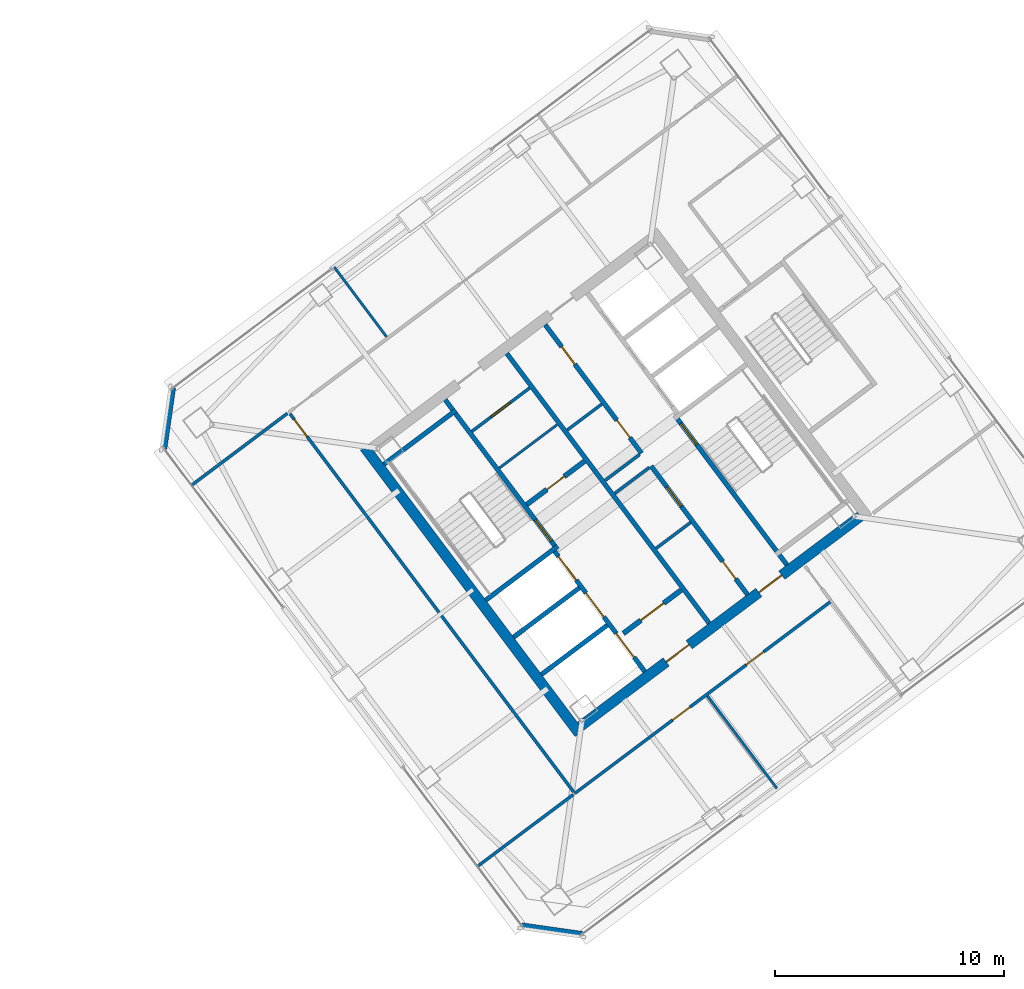
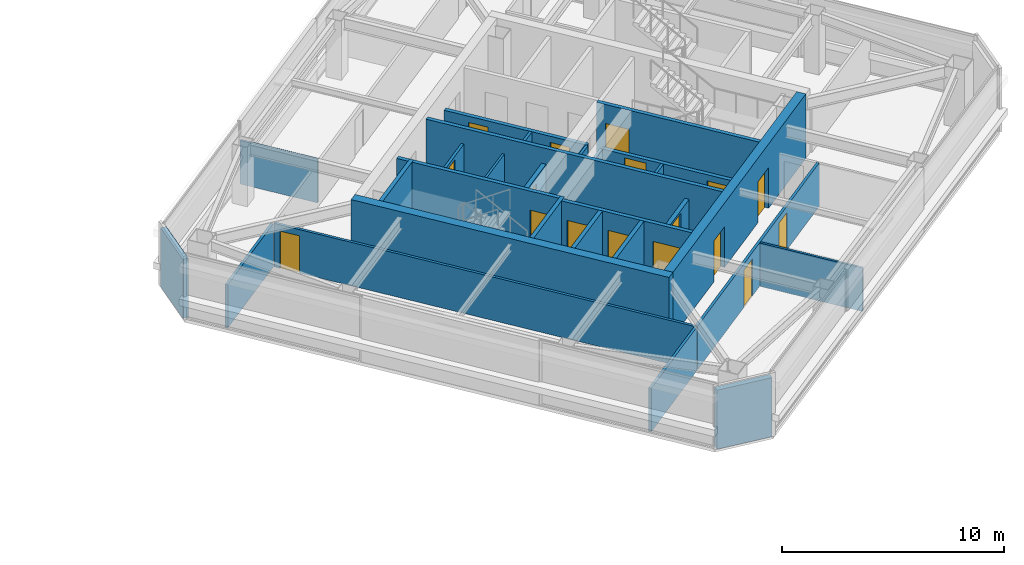
# One storey, part 31 of 39: 28 walls, 17 doors, 17 openings.
"""IFC4 building model written with IfcOpenShell, lengths in metres."""

from ifc_helpers import new_model, si_unit, direction, frame, frame_2d, origin, place, context, subcontext, project, spatial, rectangle, extrude, material, layer, layer_set, type_object, element, fill, save


model = new_model("IFC4")

# Units and contexts
model_context = context("Model", 3, precision=1e-05, world=origin(), true_north=direction((0.0, 1.0)))
body_context = subcontext(model_context, "Body", "Model", "MODEL_VIEW")
ifc_project = project(units=[si_unit("LENGTHUNIT", "METRE"), si_unit("AREAUNIT", "SQUARE_METRE"), si_unit("VOLUMEUNIT", "CUBIC_METRE"), si_unit("PLANEANGLEUNIT", "RADIAN"), si_unit("MASSUNIT", "GRAM", prefix="KILO")], contexts=[model_context])

# Site, building, storey
site_placement = place(None, origin())
site = spatial("IfcSite", under=ifc_project, at=site_placement, CompositionType="ELEMENT")
building_placement = place(site_placement, origin())
building = spatial("IfcBuilding", under=site, at=building_placement, Name="Tashvorn Skyway Center", CompositionType="ELEMENT")
storey_placement = place(building_placement, frame((0.0, 0.0, 243.25)))
storey = spatial("IfcBuildingStorey", under=building, at=storey_placement, Name="L66", CompositionType="ELEMENT", Elevation=243.25)

# Wall
ifc_material_1 = material(Name="Concrete C50/60", Category="concrete")
ifc_layer_1 = layer(ifc_material_1, 0.449951171875)
ifc_layer_set_1 = layer_set([ifc_layer_1], Name="Concrete C50/60")
wall_type_1 = type_object("IfcWallType", Name="WALL-CORE-450", PredefinedType="SHEAR", material=ifc_layer_set_1)
wall_1_placement = place(storey_placement, frame((112.39599609375, 21.047119140625, 0.0), z_axis=(0.0, 0.0, 1.0), x_axis=(-0.600005007985, 0.799996243986, 0.0)))
element("IfcWall", 1, at=wall_1_placement, inside=storey, type_object=wall_type_1, Name="Tower 2 L66 West Core Shear Wall", PredefinedType="SHEAR", context=body_context, shape_type="SweptSolid", body=[
    extrude(rectangle(XDim=15.60009765625, YDim=0.449951171875, at=frame_2d((7.800048828125, 0.0))), origin(), (0.0, 0.0, 1.0), 3.550048828125),
])

# Wall, openings, doors
wall_2_placement = place(storey_placement, frame((124.64892578125, 30.51806640625, 0.0), z_axis=(0.0, 0.0, 1.0), x_axis=(-0.8, -0.6, 0.0)))
wall_2 = element("IfcWall", 2, at=wall_2_placement, inside=storey, type_object=wall_type_1, Name="Tower 2 L66 South Core Shear Wall", PredefinedType="SHEAR", context=body_context, shape_type="SweptSolid", body=[
    extrude(rectangle(XDim=15.260009765625, YDim=0.449951171875, at=frame_2d((7.6298828125, 0.0))), origin(), (0.0, 0.0, 1.0), 3.550048828125),
])
opening_1_placement = place(wall_2_placement, frame((9.330078125, 0.0, 0.0)))
opening_1 = element("IfcOpeningElement", 3, at=opening_1_placement, cuts=wall_2, Name="Opening D-FFL-1250", PredefinedType="OPENING", context=body_context, shape_type="SweptSolid", body=[
    extrude(rectangle(XDim=1.25, YDim=2.25, at=frame_2d((0.625, 1.125))), frame((0.0, 0.23486328125, 0.0), z_axis=(0.0, -1.0, 0.0), x_axis=(1.0, 0.0, 0.0)), (0.0, 0.0, 1.0), 0.469970703125),
])
opening_2_placement = place(wall_2_placement, frame((4.280029296875, 0.0, 0.0)))
opening_2 = element("IfcOpeningElement", 4, at=opening_2_placement, cuts=wall_2, Name="Opening D-FFL-1250", PredefinedType="OPENING", context=body_context, shape_type="SweptSolid", body=[
    extrude(rectangle(XDim=1.25, YDim=2.25, at=frame_2d((0.625, 1.125))), frame((0.0, 0.23486328125, 0.0), z_axis=(0.0, -1.0, 0.0), x_axis=(1.0, 0.0, 0.0)), (0.0, 0.0, 1.0), 0.469970703125),
])
ifc_material_2 = material(Name="Hollow galvanized steel fire door assembly", Category="steel")
door_type_1 = type_object("IfcDoorType", Name="DOOR-FFL-1250", OperationType="NOTDEFINED", PredefinedType="DOOR", material=ifc_material_2)
door_1_placement = place(opening_1_placement, origin())
door_1 = element("IfcDoor", 5, at=door_1_placement, inside=storey, type_object=door_type_1, Name="Tower 2 L66 Core South Firefighting Exit Door", OperationType="SINGLE_SWING_LEFT", OverallHeight=2.25, OverallWidth=1.25, PredefinedType="DOOR", context=body_context, shape_type="SweptSolid", body=[
    extrude(rectangle(XDim=1.25, YDim=2.25, at=frame_2d((0.625, 1.125))), frame((0.0, 0.02490234375, 0.0), z_axis=(0.0, -1.0, 0.0), x_axis=(1.0, 0.0, 0.0)), (0.0, 0.0, 1.0), 0.050048828125),
])
fill(opening_1, door_1)
door_2_placement = place(opening_2_placement, origin())
door_2 = element("IfcDoor", 6, at=door_2_placement, inside=storey, type_object=door_type_1, Name="Tower 2 L66 Core South Lift Lobby Door", OperationType="SINGLE_SWING_RIGHT", OverallHeight=2.25, OverallWidth=1.25, PredefinedType="DOOR", context=body_context, shape_type="SweptSolid", body=[
    extrude(rectangle(XDim=1.25, YDim=2.25, at=frame_2d((0.625, 1.125))), frame((0.0, 0.02490234375, 0.0), z_axis=(0.0, -1.0, 0.0), x_axis=(1.0, 0.0, 0.0)), (0.0, 0.0, 1.0), 0.050048828125),
])
fill(opening_2, door_2)

# Walls
ifc_material_3 = material(Name="Precast concrete C40/50", Category="concrete")
ifc_layer_2 = layer(ifc_material_3, 0.280029296875)
ifc_layer_set_2 = layer_set([ifc_layer_2], Name="Precast concrete C40/50")
wall_type_2 = type_object("IfcWallType", Name="WALL-EXT-280", PredefinedType="SOLIDWALL", material=ifc_layer_set_2)
for number, where, z_axis, x_axis, name in (
    (7, (112.5400390625, 12.280029296875, 0.0), (0.0, 0.0, 1.0), (-0.989956760759, 0.141370477216, 0.0), "Tower 2 L66 SW Precast Chamfer Wall"),
    (8, (94.280029296875, 33.4599609375, 0.0), (0.0, 0.0, 1.0), (0.141370477216, 0.989956760759, 0.0), "Tower 2 L66 NW Precast Chamfer Wall"),
):
    element("IfcWall", number, at=place(storey_placement, frame(where, z_axis=z_axis, x_axis=x_axis)), inside=storey, type_object=wall_type_2, Name=name, PredefinedType="SOLIDWALL", context=body_context, shape_type="SweptSolid", body=[
        extrude(rectangle(XDim=2.687255859375, YDim=0.280029296875, at=frame_2d((1.34375, 0.0))), origin(), (0.0, 0.0, 1.0), 3.25),
    ])

# Wall, opening, door
ifc_material_4 = material(Name="Concrete C40/50", Category="concrete")
ifc_layer_3 = layer(ifc_material_4, 0.219970703125)
ifc_layer_set_3 = layer_set([ifc_layer_3], Name="Concrete C40/50")
wall_type_3 = type_object("IfcWallType", Name="WALL-FFL-220", PredefinedType="SOLIDWALL", material=ifc_layer_set_3)
wall_3_placement = place(storey_placement, frame((110.10400390625, 31.028076171875, 0.0), z_axis=(0.0, 0.0, 1.0), x_axis=(0.800018601094, 0.59997519774, 0.0)))
wall_3 = element("IfcWall", 9, at=wall_3_placement, inside=storey, type_object=wall_type_3, Name="Tower 2 L66 Firefighting Lobby North Wall", PredefinedType="SOLIDWALL", context=body_context, shape_type="SweptSolid", body=[
    extrude(rectangle(XDim=3.14990234375, YDim=0.219970703125, at=frame_2d((1.574951171875, 0.0))), origin(), (0.0, 0.0, 1.0), 2.39306640625),
])
opening_3_placement = place(wall_3_placement, frame((1.10009765625, 0.0, 0.0)))
opening_3 = element("IfcOpeningElement", 10, at=opening_3_placement, cuts=wall_3, Name="Opening D-RT-950", PredefinedType="OPENING", context=body_context, shape_type="SweptSolid", body=[
    extrude(rectangle(XDim=0.949951171875, YDim=2.050048828125, at=frame_2d((0.47509765625, 1.02490234375))), frame((0.0, 0.119873046875, 0.0), z_axis=(0.0, -1.0, 0.0), x_axis=(1.0, 0.0, 0.0)), (0.0, 0.0, 1.0), 0.239990234375),
])
door_type_2 = type_object("IfcDoorType", Name="DOOR-RATED-950", OperationType="NOTDEFINED", PredefinedType="DOOR", material=ifc_material_2)
door_3_placement = place(opening_3_placement, origin())
door_3 = element("IfcDoor", 11, at=door_3_placement, inside=storey, type_object=door_type_2, Name="Tower 2 L66 Core Linen Store Door", OperationType="SINGLE_SWING_LEFT", OverallHeight=2.050048828125, OverallWidth=0.949951171875, PredefinedType="DOOR", context=body_context, shape_type="SweptSolid", body=[
    extrude(rectangle(XDim=0.949951171875, YDim=2.050048828125, at=frame_2d((0.47509765625, 1.02490234375))), frame((0.0, 0.02490234375, 0.0), z_axis=(0.0, -1.0, 0.0), x_axis=(1.0, 0.0, 0.0)), (0.0, 0.0, 1.0), 0.050048828125),
])
fill(opening_3, door_3)

wall_4_placement = place(storey_placement, frame((114.31591796875, 25.412109375, 0.0), z_axis=(0.0, 0.0, 1.0), x_axis=(0.800018601094, 0.59997519774, 0.0)))
wall_4 = element("IfcWall", 12, at=wall_4_placement, inside=storey, type_object=wall_type_3, Name="Tower 2 L66 Firefighting Lobby South Wall", PredefinedType="SOLIDWALL", context=body_context, shape_type="SweptSolid", body=[
    extrude(rectangle(XDim=3.14990234375, YDim=0.219970703125, at=frame_2d((1.574951171875, 0.0))), origin(), (0.0, 0.0, 1.0), 2.39306640625),
])
opening_4_placement = place(wall_4_placement, frame((0.949951171875, 0.0, 0.0)))
opening_4 = element("IfcOpeningElement", 13, at=opening_4_placement, cuts=wall_4, Name="Opening D-FFL-1250", PredefinedType="OPENING", context=body_context, shape_type="SweptSolid", body=[
    extrude(rectangle(XDim=1.25, YDim=2.25, at=frame_2d((0.625, 1.125))), frame((0.0, 0.119873046875, 0.0), z_axis=(0.0, -1.0, 0.0), x_axis=(1.0, 0.0, 0.0)), (0.0, 0.0, 1.0), 0.239990234375),
])
door_4_placement = place(opening_4_placement, origin())
door_4 = element("IfcDoor", 14, at=door_4_placement, inside=storey, type_object=door_type_1, Name="Tower 2 L66 Firefighting Lobby Egress Door", OperationType="SINGLE_SWING_LEFT", OverallHeight=2.25, OverallWidth=1.25, PredefinedType="DOOR", context=body_context, shape_type="SweptSolid", body=[
    extrude(rectangle(XDim=1.25, YDim=2.25, at=frame_2d((0.625, 1.125))), frame((0.0, 0.02490234375, 0.0), z_axis=(0.0, -1.0, 0.0), x_axis=(1.0, 0.0, 0.0)), (0.0, 0.0, 1.0), 0.050048828125),
])
fill(opening_4, door_4)

# Walls
ifc_material_5 = material(Name="Gypsum board on cold-formed steel stud framing", Category="steel")
ifc_layer_4 = layer(ifc_material_5, 0.110107421875)
ifc_layer_set_4 = layer_set([ifc_layer_4], Name="Gypsum board on cold-formed steel stud framing")
wall_type_4 = type_object("IfcWallType", Name="WALL-PART-110", PredefinedType="PARTITIONING", material=ifc_layer_set_4)
wall_5_placement = place(storey_placement, frame((103.991943359375, 38.343994140625, 0.0), z_axis=(0.0, 0.0, 1.0), x_axis=(-0.6, 0.8, 0.0)))
element("IfcWall", 15, at=wall_5_placement, inside=storey, type_object=wall_type_4, Name="Tower 2 L66 North Suite Partition 1", PredefinedType="PARTITIONING", context=body_context, shape_type="SweptSolid", body=[
    extrude(rectangle(XDim=3.800048828125, YDim=0.110107421875, at=frame_2d((1.89990234375, 0.0))), origin(), (0.0, 0.0, 1.0), 2.39306640625),
])
wall_6_placement = place(storey_placement, frame((121.008056640625, 18.656005859375, 0.0), z_axis=(0.0, 0.0, 1.0), x_axis=(-0.600015531756, 0.799988350947, 0.0)))
element("IfcWall", 16, at=wall_6_placement, inside=storey, type_object=wall_type_4, Name="Tower 2 L66 South Suite Partition 1", PredefinedType="PARTITIONING", context=body_context, shape_type="SweptSolid", body=[
    extrude(rectangle(XDim=5.030029296875, YDim=0.110107421875, at=frame_2d((2.51513671875, 0.0))), origin(), (0.0, 0.0, 1.0), 2.39306640625),
])

# Wall, openings, doors
ifc_layer_5 = layer(ifc_material_5, 0.135009765625)
ifc_layer_set_5 = layer_set([ifc_layer_5], Name="Gypsum board on cold-formed steel stud framing")
wall_type_5 = type_object("IfcWallType", Name="WALL-PART-135", PredefinedType="PARTITIONING", material=ifc_layer_set_5)
wall_7_placement = place(storey_placement, frame((123.382080078125, 26.823974609375, 0.0), z_axis=(0.0, 0.0, 1.0), x_axis=(-0.800004191227, -0.599994411657, 0.0)))
wall_7 = element("IfcWall", 17, at=wall_7_placement, inside=storey, type_object=wall_type_5, Name="Tower 2 L66 South Suite Wall", PredefinedType="PARTITIONING", context=body_context, shape_type="SweptSolid", body=[
    extrude(rectangle(XDim=13.97998046875, YDim=0.135009765625, at=frame_2d((6.989990234375, 0.0))), origin(), (0.0, 0.0, 1.0), 2.39306640625),
])
opening_5_placement = place(wall_7_placement, frame((7.700927734375, 0.0, 0.0)))
opening_5 = element("IfcOpeningElement", 18, at=opening_5_placement, cuts=wall_7, Name="Opening D-INT-950", PredefinedType="OPENING", context=body_context, shape_type="SweptSolid", body=[
    extrude(rectangle(XDim=0.949951171875, YDim=2.050048828125, at=frame_2d((0.47509765625, 1.02490234375))), frame((0.0, 0.077392578125, 0.0), z_axis=(0.0, -1.0, 0.0), x_axis=(1.0, 0.0, 0.0)), (0.0, 0.0, 1.0), 0.155029296875),
])
opening_6_placement = place(wall_7_placement, frame((3.6884765625, 0.0, 0.0)))
opening_6 = element("IfcOpeningElement", 19, at=opening_6_placement, cuts=wall_7, Name="Opening D-INT-950", PredefinedType="OPENING", context=body_context, shape_type="SweptSolid", body=[
    extrude(rectangle(XDim=0.949951171875, YDim=2.050048828125, at=frame_2d((0.47509765625, 1.02490234375))), frame((0.0, 0.077392578125, 0.0), z_axis=(0.0, -1.0, 0.0), x_axis=(1.0, 0.0, 0.0)), (0.0, 0.0, 1.0), 0.155029296875),
])
ifc_material_6 = material(Name="Solid-core architectural oak veneer door")
door_type_3 = type_object("IfcDoorType", Name="DOOR-INT-950", OperationType="NOTDEFINED", PredefinedType="DOOR", material=ifc_material_6)
door_5_placement = place(opening_5_placement, origin())
door_5 = element("IfcDoor", 20, at=door_5_placement, inside=storey, type_object=door_type_3, Name="Tower 2 L66 Operations Control Room Door", OperationType="SINGLE_SWING_LEFT", OverallHeight=2.050048828125, OverallWidth=0.949951171875, PredefinedType="DOOR", context=body_context, shape_type="SweptSolid", body=[
    extrude(rectangle(XDim=0.949951171875, YDim=2.050048828125, at=frame_2d((0.47509765625, 1.02490234375))), frame((0.0, 0.02490234375, 0.0), z_axis=(0.0, -1.0, 0.0), x_axis=(1.0, 0.0, 0.0)), (0.0, 0.0, 1.0), 0.050048828125),
])
fill(opening_5, door_5)
door_6_placement = place(opening_6_placement, origin())
door_6 = element("IfcDoor", 21, at=door_6_placement, inside=storey, type_object=door_type_3, Name="Tower 2 L66 Security Control Room Door", OperationType="SINGLE_SWING_RIGHT", OverallHeight=2.050048828125, OverallWidth=0.949951171875, PredefinedType="DOOR", context=body_context, shape_type="SweptSolid", body=[
    extrude(rectangle(XDim=0.949951171875, YDim=2.050048828125, at=frame_2d((0.47509765625, 1.02490234375))), frame((0.0, 0.02490234375, 0.0), z_axis=(0.0, -1.0, 0.0), x_axis=(1.0, 0.0, 0.0)), (0.0, 0.0, 1.0), 0.050048828125),
])
fill(opening_6, door_6)

# Wall, opening, door
wall_8_placement = place(storey_placement, frame((112.14990234375, 18.5, 0.0), z_axis=(0.0, 0.0, 1.0), x_axis=(-0.599998104681, 0.800001421485, 0.0)))
wall_8 = element("IfcWall", 22, at=wall_8_placement, inside=storey, type_object=wall_type_5, Name="Tower 2 L66 West Inner Suite Wall", PredefinedType="PARTITIONING", context=body_context, shape_type="SweptSolid", body=[
    extrude(rectangle(XDim=20.610107421875, YDim=0.135009765625, at=frame_2d((10.30517578125, 0.0))), origin(), (0.0, 0.0, 1.0), 2.39306640625),
])
opening_7_placement = place(wall_8_placement, frame((19.360107421875, 0.0, 0.0)))
opening_7 = element("IfcOpeningElement", 23, at=opening_7_placement, cuts=wall_8, Name="Opening D-INT-950", PredefinedType="OPENING", context=body_context, shape_type="SweptSolid", body=[
    extrude(rectangle(XDim=0.949951171875, YDim=2.050048828125, at=frame_2d((0.47509765625, 1.02490234375))), frame((0.0, 0.077392578125, 0.0), z_axis=(0.0, -1.0, 0.0), x_axis=(1.0, 0.0, 0.0)), (0.0, 0.0, 1.0), 0.155029296875),
])
door_7_placement = place(opening_7_placement, origin())
door_7 = element("IfcDoor", 24, at=door_7_placement, inside=storey, type_object=door_type_3, Name="Tower 2 L66 Public Restroom Door", OperationType="SINGLE_SWING_RIGHT", OverallHeight=2.050048828125, OverallWidth=0.949951171875, PredefinedType="DOOR", context=body_context, shape_type="SweptSolid", body=[
    extrude(rectangle(XDim=0.949951171875, YDim=2.050048828125, at=frame_2d((0.47509765625, 1.02490234375))), frame((0.0, 0.02490234375, 0.0), z_axis=(0.0, -1.0, 0.0), x_axis=(1.0, 0.0, 0.0)), (0.0, 0.0, 1.0), 0.050048828125),
])
fill(opening_7, door_7)

# Walls
for number, where, z_axis, x_axis, name in (
    (25, (99.672119140625, 35.00390625, 0.0), (0.0, 0.0, 1.0), (-0.800016837221, -0.599977549715, 0.0), "Tower 2 L66 West Suite North Wall"),
    (26, (107.9580078125, 15.256103515625, 0.0), (0.0, 0.0, 1.0), (0.800016837221, 0.599977549715, 0.0), "Tower 2 L66 West Suite South Wall"),
):
    element("IfcWall", number, at=place(storey_placement, frame(where, z_axis=z_axis, x_axis=x_axis)), inside=storey, type_object=wall_type_5, Name=name, PredefinedType="PARTITIONING", context=body_context, shape_type="SweptSolid", body=[
        extrude(rectangle(XDim=5.219970703125, YDim=0.135009765625, at=frame_2d((2.60986328125, 0.0))), origin(), (0.0, 0.0, 1.0), 2.39306640625),
    ])
ifc_layer_6 = layer(ifc_material_5, 0.110107421875)
ifc_layer_set_6 = layer_set([ifc_layer_6], Name="Gypsum board on cold-formed steel stud framing")
wall_type_6 = type_object("IfcWallType", Name="WALL-RATED-110", PredefinedType="PARTITIONING", material=ifc_layer_set_6)
wall_9_placement = place(storey_placement, frame((108.909912109375, 32.6201171875, 0.0), z_axis=(0.0, 0.0, 1.0), x_axis=(0.800018601094, 0.59997519774, 0.0)))
element("IfcWall", 27, at=wall_9_placement, inside=storey, type_object=wall_type_6, Name="Tower 2 L66 Core Transverse Wall", PredefinedType="PARTITIONING", context=body_context, shape_type="SweptSolid", body=[
    extrude(rectangle(XDim=3.14990234375, YDim=0.110107421875, at=frame_2d((1.574951171875, 0.0))), origin(), (0.0, 0.0, 1.0), 2.39306640625),
])

# Wall, opening, door
ifc_layer_7 = layer(ifc_material_5, 0.135009765625)
ifc_layer_set_7 = layer_set([ifc_layer_7], Name="Gypsum board on cold-formed steel stud framing")
wall_type_7 = type_object("IfcWallType", Name="WALL-RATED-135", PredefinedType="PARTITIONING", material=ifc_layer_set_7)
wall_10_placement = place(storey_placement, frame((107.7099609375, 34.219970703125, 0.0), z_axis=(0.0, 0.0, 1.0), x_axis=(0.799981399002, 0.60002480053, 0.0)))
wall_10 = element("IfcWall", 28, at=wall_10_placement, inside=storey, type_object=wall_type_7, Name="Tower 2 L66 Core Service Lobby Wall", PredefinedType="PARTITIONING", context=body_context, shape_type="SweptSolid", body=[
    extrude(rectangle(XDim=3.150146484375, YDim=0.135009765625, at=frame_2d((1.5751953125, 0.0))), origin(), (0.0, 0.0, 1.0), 2.39306640625),
])
opening_8_placement = place(wall_10_placement, frame((1.050048828125, 0.0, 0.0)))
opening_8 = element("IfcOpeningElement", 29, at=opening_8_placement, cuts=wall_10, Name="Opening D-RT-1050", PredefinedType="OPENING", context=body_context, shape_type="SweptSolid", body=[
    extrude(rectangle(XDim=1.050048828125, YDim=2.199951171875, at=frame_2d((0.52490234375, 1.10009765625))), frame((0.0, 0.077392578125, 0.0), z_axis=(0.0, -1.0, 0.0), x_axis=(1.0, 0.0, 0.0)), (0.0, 0.0, 1.0), 0.155029296875),
])
door_type_4 = type_object("IfcDoorType", Name="DOOR-RATED-1050", OperationType="NOTDEFINED", PredefinedType="DOOR", material=ifc_material_2)
door_8_placement = place(opening_8_placement, origin())
door_8 = element("IfcDoor", 30, at=door_8_placement, inside=storey, type_object=door_type_4, Name="Tower 2 L66 Core Accessible WC Door", OperationType="SINGLE_SWING_RIGHT", OverallHeight=2.199951171875, OverallWidth=1.050048828125, PredefinedType="DOOR", context=body_context, shape_type="SweptSolid", body=[
    extrude(rectangle(XDim=1.050048828125, YDim=2.199951171875, at=frame_2d((0.52490234375, 1.10009765625))), frame((0.0, 0.02490234375, 0.0), z_axis=(0.0, -1.0, 0.0), x_axis=(1.0, 0.0, 0.0)), (0.0, 0.0, 1.0), 0.050048828125),
])
fill(opening_8, door_8)

# Walls
for number, where, z_axis, x_axis, name in (
    (31, (113.946044921875, 31.52197265625, 0.0), (0.0, 0.0, 1.0), (0.8, 0.6, 0.0), "Tower 2 L66 Core Room Partition"),
    (32, (115.74609375, 29.1220703125, 0.0), (0.0, 0.0, 1.0), (0.8, 0.6, 0.0), "Tower 2 L66 Freed Core Partition"),
):
    element("IfcWall", number, at=place(storey_placement, frame(where, z_axis=z_axis, x_axis=x_axis)), inside=storey, type_object=wall_type_7, Name=name, PredefinedType="PARTITIONING", context=body_context, shape_type="SweptSolid", body=[
        extrude(rectangle(XDim=1.8798828125, YDim=0.135009765625, at=frame_2d((0.93994140625, 0.0))), origin(), (0.0, 0.0, 1.0), 2.39306640625),
    ])
wall_11_placement = place(storey_placement, frame((113.52587890625, 32.08203125, 0.0), z_axis=(0.0, 0.0, 1.0), x_axis=(0.800046745961, 0.599937666993, 0.0)))
element("IfcWall", 33, at=wall_11_placement, inside=storey, type_object=wall_type_7, Name="Tower 2 L66 Core Room Partition", PredefinedType="PARTITIONING", context=body_context, shape_type="SweptSolid", body=[
    extrude(rectangle(XDim=1.880126953125, YDim=0.135009765625, at=frame_2d((0.93994140625, 0.0))), origin(), (0.0, 0.0, 1.0), 2.39306640625),
])
wall_12_placement = place(storey_placement, frame((111.8759765625, 34.281982421875, 0.0), z_axis=(0.0, 0.0, 1.0), x_axis=(0.8, 0.6, 0.0)))
element("IfcWall", 34, at=wall_12_placement, inside=storey, type_object=wall_type_7, Name="Tower 2 L66 Freed Mid-Rise Partition", PredefinedType="PARTITIONING", context=body_context, shape_type="SweptSolid", body=[
    extrude(rectangle(XDim=1.8798828125, YDim=0.135009765625, at=frame_2d((0.93994140625, 0.0))), origin(), (0.0, 0.0, 1.0), 2.39306640625),
])
ifc_layer_8 = layer(ifc_material_4, 0.199951171875)
ifc_layer_set_8 = layer_set([ifc_layer_8], Name="Concrete C40/50")
wall_type_8 = type_object("IfcWallType", Name="WALL-SHAFT-200", PredefinedType="SOLIDWALL", material=ifc_layer_set_8)
for number, where, z_axis, x_axis, name in (
    (35, (110.74609375, 23.6220703125, 0.0), (0.0, 0.0, 1.0), (0.800008183455, 0.599989088572, 0.0), "Tower 2 L66 FSAE Shaft Divider"),
    (36, (109.528076171875, 25.24609375, 0.0), (0.0, 0.0, 1.0), (0.800008183455, 0.599989088572, 0.0), "Tower 2 L66 FSAE Shaft Divider"),
):
    element("IfcWall", number, at=place(storey_placement, frame(where, z_axis=z_axis, x_axis=x_axis)), inside=storey, type_object=wall_type_8, Name=name, PredefinedType="SOLIDWALL", context=body_context, shape_type="SweptSolid", body=[
        extrude(rectangle(XDim=3.580078125, YDim=0.199951171875, at=frame_2d((1.7900390625, 0.0))), origin(), (0.0, 0.0, 1.0), 3.25),
    ])

# Wall, openings, doors
wall_13_placement = place(storey_placement, frame((119.72998046875, 27.110107421875, 0.0), z_axis=(0.0, 0.0, 1.0), x_axis=(-0.600005580459, 0.799995814625, 0.0)))
wall_13 = element("IfcWall", 37, at=wall_13_placement, inside=storey, type_object=wall_type_8, Name="Tower 2 L66 Low-Rise Core Wall", PredefinedType="SOLIDWALL", context=body_context, shape_type="SweptSolid", body=[
    extrude(rectangle(XDim=6.999755859375, YDim=0.199951171875, at=frame_2d((3.5, 0.0))), origin(), (0.0, 0.0, 1.0), 2.39306640625),
])
opening_9_placement = place(wall_13_placement, frame((0.85009765625, 0.0, 0.0)))
opening_9 = element("IfcOpeningElement", 38, at=opening_9_placement, cuts=wall_13, Name="Opening D-RT-950", PredefinedType="OPENING", context=body_context, shape_type="SweptSolid", body=[
    extrude(rectangle(XDim=0.949951171875, YDim=2.050048828125, at=frame_2d((0.47509765625, 1.02490234375))), frame((0.0, 0.10986328125, 0.0), z_axis=(0.0, -1.0, 0.0), x_axis=(1.0, 0.0, 0.0)), (0.0, 0.0, 1.0), 0.219970703125),
])
opening_10_placement = place(wall_13_placement, frame((4.800048828125, 0.0, 0.0)))
opening_10 = element("IfcOpeningElement", 39, at=opening_10_placement, cuts=wall_13, Name="Opening D-RT-1050", PredefinedType="OPENING", context=body_context, shape_type="SweptSolid", body=[
    extrude(rectangle(XDim=1.050048828125, YDim=2.199951171875, at=frame_2d((0.52490234375, 1.10009765625))), frame((0.0, 0.10986328125, 0.0), z_axis=(0.0, -1.0, 0.0), x_axis=(1.0, 0.0, 0.0)), (0.0, 0.0, 1.0), 0.219970703125),
])
door_9_placement = place(opening_10_placement, origin())
door_9 = element("IfcDoor", 40, at=door_9_placement, inside=storey, type_object=door_type_4, Name="Tower 2 L66 Freed Core Room Door", OperationType="SINGLE_SWING_RIGHT", OverallHeight=2.199951171875, OverallWidth=1.050048828125, PredefinedType="DOOR", context=body_context, shape_type="SweptSolid", body=[
    extrude(rectangle(XDim=1.050048828125, YDim=2.199951171875, at=frame_2d((0.52490234375, 1.10009765625))), frame((0.0, 0.02490234375, 0.0), z_axis=(0.0, -1.0, 0.0), x_axis=(1.0, 0.0, 0.0)), (0.0, 0.0, 1.0), 0.050048828125),
])
fill(opening_10, door_9)
door_10_placement = place(opening_9_placement, origin())
door_10 = element("IfcDoor", 41, at=door_10_placement, inside=storey, type_object=door_type_2, Name="Tower 2 L66 Core Print Room Door", OperationType="SINGLE_SWING_LEFT", OverallHeight=2.050048828125, OverallWidth=0.949951171875, PredefinedType="DOOR", context=body_context, shape_type="SweptSolid", body=[
    extrude(rectangle(XDim=0.949951171875, YDim=2.050048828125, at=frame_2d((0.47509765625, 1.02490234375))), frame((0.0, 0.02490234375, 0.0), z_axis=(0.0, -1.0, 0.0), x_axis=(1.0, 0.0, 0.0)), (0.0, 0.0, 1.0), 0.050048828125),
])
fill(opening_9, door_10)

wall_14_placement = place(storey_placement, frame((115.110107421875, 33.27001953125, 0.0), z_axis=(0.0, 0.0, 1.0), x_axis=(-0.600011160345, 0.79999162962, 0.0)))
wall_14 = element("IfcWall", 42, at=wall_14_placement, inside=storey, type_object=wall_type_8, Name="Tower 2 L66 Mid-Rise Core Wall", PredefinedType="SOLIDWALL", context=body_context, shape_type="SweptSolid", body=[
    extrude(rectangle(XDim=7.000244140625, YDim=0.199951171875, at=frame_2d((3.5, 0.0))), origin(), (0.0, 0.0, 1.0), 2.39306640625),
])
opening_11_placement = place(wall_14_placement, frame((0.85009765625, 0.0, 0.0)))
opening_11 = element("IfcOpeningElement", 43, at=opening_11_placement, cuts=wall_14, Name="Opening D-RT-950", PredefinedType="OPENING", context=body_context, shape_type="SweptSolid", body=[
    extrude(rectangle(XDim=0.949951171875, YDim=2.050048828125, at=frame_2d((0.47509765625, 1.02490234375))), frame((0.0, 0.10986328125, 0.0), z_axis=(0.0, -1.0, 0.0), x_axis=(1.0, 0.0, 0.0)), (0.0, 0.0, 1.0), 0.219970703125),
])
opening_12_placement = place(wall_14_placement, frame((4.85009765625, 0.0, 0.0)))
opening_12 = element("IfcOpeningElement", 44, at=opening_12_placement, cuts=wall_14, Name="Opening D-RT-950", PredefinedType="OPENING", context=body_context, shape_type="SweptSolid", body=[
    extrude(rectangle(XDim=0.949951171875, YDim=2.050048828125, at=frame_2d((0.47509765625, 1.02490234375))), frame((0.0, 0.10986328125, 0.0), z_axis=(0.0, -1.0, 0.0), x_axis=(1.0, 0.0, 0.0)), (0.0, 0.0, 1.0), 0.219970703125),
])
door_11_placement = place(opening_11_placement, origin())
door_11 = element("IfcDoor", 45, at=door_11_placement, inside=storey, type_object=door_type_2, Name="Tower 2 L66 Core IT Room Door", OperationType="SINGLE_SWING_RIGHT", OverallHeight=2.050048828125, OverallWidth=0.949951171875, PredefinedType="DOOR", context=body_context, shape_type="SweptSolid", body=[
    extrude(rectangle(XDim=0.949951171875, YDim=2.050048828125, at=frame_2d((0.47509765625, 1.02490234375))), frame((0.0, 0.02490234375, 0.0), z_axis=(0.0, -1.0, 0.0), x_axis=(1.0, 0.0, 0.0)), (0.0, 0.0, 1.0), 0.050048828125),
])
fill(opening_11, door_11)
door_12_placement = place(opening_12_placement, origin())
door_12 = element("IfcDoor", 46, at=door_12_placement, inside=storey, type_object=door_type_2, Name="Tower 2 L66 Core Catering Pantry Door", OperationType="SINGLE_SWING_LEFT", OverallHeight=2.050048828125, OverallWidth=0.949951171875, PredefinedType="DOOR", context=body_context, shape_type="SweptSolid", body=[
    extrude(rectangle(XDim=0.949951171875, YDim=2.050048828125, at=frame_2d((0.47509765625, 1.02490234375))), frame((0.0, 0.02490234375, 0.0), z_axis=(0.0, -1.0, 0.0), x_axis=(1.0, 0.0, 0.0)), (0.0, 0.0, 1.0), 0.050048828125),
])
fill(opening_12, door_12)

# Wall, opening, door
ifc_layer_9 = layer(ifc_material_4, 0.199951171875)
ifc_layer_set_9 = layer_set([ifc_layer_9], Name="Concrete C40/50")
wall_type_9 = type_object("IfcWallType", Name="WALL-STSHF-200", PredefinedType="SHEAR", material=ifc_layer_set_9)
wall_15_placement = place(storey_placement, frame((111.43994140625, 29.080078125, 0.0), z_axis=(0.0, 0.0, 1.0), x_axis=(-0.59999041401, 0.800007189403, 0.0)))
wall_15 = element("IfcWall", 47, at=wall_15_placement, inside=storey, type_object=wall_type_9, Name="Tower 2 L66 Stair 1 Enclosure Wall", PredefinedType="SHEAR", context=body_context, shape_type="SweptSolid", body=[
    extrude(rectangle(XDim=8.14990234375, YDim=0.199951171875, at=frame_2d((4.074951171875, 0.0))), origin(), (0.0, 0.0, 1.0), 3.25),
])
opening_13_placement = place(wall_15_placement, frame((0.449951171875, 0.0, 0.0)))
opening_13 = element("IfcOpeningElement", 48, at=opening_13_placement, cuts=wall_15, Name="Opening D-ST-1150", PredefinedType="OPENING", context=body_context, shape_type="SweptSolid", body=[
    extrude(rectangle(XDim=1.14990234375, YDim=2.199951171875, at=frame_2d((0.574951171875, 1.10009765625))), frame((0.0, 0.10986328125, 0.0), z_axis=(0.0, -1.0, 0.0), x_axis=(1.0, 0.0, 0.0)), (0.0, 0.0, 1.0), 0.219970703125),
])
door_type_5 = type_object("IfcDoorType", Name="DOOR-STAIR-1150", OperationType="NOTDEFINED", PredefinedType="DOOR", material=ifc_material_2)
door_13_placement = place(opening_13_placement, origin())
door_13 = element("IfcDoor", 49, at=door_13_placement, inside=storey, type_object=door_type_5, Name="Tower 2 L66 Exit Stair 1 Door", OperationType="SINGLE_SWING_RIGHT", OverallHeight=2.199951171875, OverallWidth=1.14990234375, PredefinedType="DOOR", context=body_context, shape_type="SweptSolid", body=[
    extrude(rectangle(XDim=1.14990234375, YDim=2.199951171875, at=frame_2d((0.574951171875, 1.10009765625))), frame((0.0, 0.02490234375, 0.0), z_axis=(0.0, -1.0, 0.0), x_axis=(1.0, 0.0, 0.0)), (0.0, 0.0, 1.0), 0.050048828125),
])
fill(opening_13, door_13)

# Walls
for number, where, z_axis, x_axis, name in (
    (50, (108.31591796875, 26.862060546875, 0.0), (0.0, 0.0, 1.0), (0.800014909178, 0.599980120581, 0.0), "Tower 2 L66 Stair 1 South Wall"),
    (51, (103.8759765625, 32.781982421875, 0.0), (0.0, 0.0, 1.0), (0.800014909178, 0.599980120581, 0.0), "Tower 2 L66 Stair 1 North Wall"),
):
    element("IfcWall", number, at=place(storey_placement, frame(where, z_axis=z_axis, x_axis=x_axis)), inside=storey, type_object=wall_type_9, Name=name, PredefinedType="SHEAR", context=body_context, shape_type="SweptSolid", body=[
        extrude(rectangle(XDim=3.929931640625, YDim=0.199951171875, at=frame_2d((1.96484375, 0.0))), origin(), (0.0, 0.0, 1.0), 3.25),
    ])

# Wall, opening, door
wall_16_placement = place(storey_placement, frame((116.56005859375, 34.919921875, 0.0), z_axis=(0.0, 0.0, 1.0), x_axis=(0.59999041401, -0.800007189403, 0.0)))
wall_16 = element("IfcWall", 52, at=wall_16_placement, inside=storey, type_object=wall_type_9, Name="Tower 2 L66 Stair 2 Enclosure Wall", PredefinedType="SHEAR", context=body_context, shape_type="SweptSolid", body=[
    extrude(rectangle(XDim=8.14990234375, YDim=0.199951171875, at=frame_2d((4.074951171875, 0.0))), origin(), (0.0, 0.0, 1.0), 3.25),
])
opening_14_placement = place(wall_16_placement, frame((0.449951171875, 0.0, 0.0)))
opening_14 = element("IfcOpeningElement", 53, at=opening_14_placement, cuts=wall_16, Name="Opening D-ST-1150", PredefinedType="OPENING", context=body_context, shape_type="SweptSolid", body=[
    extrude(rectangle(XDim=1.14990234375, YDim=2.199951171875, at=frame_2d((0.574951171875, 1.10009765625))), frame((0.0, 0.10986328125, 0.0), z_axis=(0.0, -1.0, 0.0), x_axis=(1.0, 0.0, 0.0)), (0.0, 0.0, 1.0), 0.219970703125),
])
door_14_placement = place(opening_14_placement, origin())
door_14 = element("IfcDoor", 54, at=door_14_placement, inside=storey, type_object=door_type_5, Name="Tower 2 L66 Exit Stair 2 Door", OperationType="SINGLE_SWING_RIGHT", OverallHeight=2.199951171875, OverallWidth=1.14990234375, PredefinedType="DOOR", context=body_context, shape_type="SweptSolid", body=[
    extrude(rectangle(XDim=1.14990234375, YDim=2.199951171875, at=frame_2d((0.574951171875, 1.10009765625))), frame((0.0, 0.02490234375, 0.0), z_axis=(0.0, -1.0, 0.0), x_axis=(1.0, 0.0, 0.0)), (0.0, 0.0, 1.0), 0.050048828125),
])
fill(opening_14, door_14)

# Wall
wall_17_placement = place(storey_placement, frame((118.05810546875, 25.85595703125, 0.0), z_axis=(0.0, 0.0, 1.0), x_axis=(-0.600002657301, 0.799998007018, 0.0)))
element("IfcWall", 55, at=wall_17_placement, inside=storey, type_object=wall_type_9, Name="Tower 2 L66 Firefighting Lobby East Smoke Barrier", PredefinedType="SHEAR", context=body_context, shape_type="SweptSolid", body=[
    extrude(rectangle(XDim=14.699951171875, YDim=0.199951171875, at=frame_2d((7.35009765625, 0.0))), origin(), (0.0, 0.0, 1.0), 3.25),
])

# Wall, openings, doors
wall_18_placement = place(storey_placement, frame((115.25, 23.75, 0.0), z_axis=(0.0, 0.0, 1.0), x_axis=(-0.599994036198, 0.800004472816, 0.0)))
wall_18 = element("IfcWall", 56, at=wall_18_placement, inside=storey, type_object=wall_type_9, Name="Tower 2 L66 FSAE and Goods Shaft Front Wall", PredefinedType="SHEAR", context=body_context, shape_type="SweptSolid", body=[
    extrude(rectangle(XDim=6.550048828125, YDim=0.199951171875, at=frame_2d((3.27490234375, 0.0))), origin(), (0.0, 0.0, 1.0), 3.25),
])
opening_15_placement = place(wall_18_placement, frame((4.97509765625, 0.0, 0.0)))
opening_15 = element("IfcOpeningElement", 57, at=opening_15_placement, cuts=wall_18, Name="Opening LD-FF-T2-1-L66", PredefinedType="OPENING", context=body_context, shape_type="SweptSolid", body=[
    extrude(rectangle(XDim=1.300048828125, YDim=2.25, at=frame_2d((0.64990234375, 1.125))), frame((0.0, 0.10986328125, 0.0), z_axis=(0.0, -1.0, 0.0), x_axis=(1.0, 0.0, 0.0)), (0.0, 0.0, 1.0), 0.219970703125),
])
opening_16_placement = place(wall_18_placement, frame((2.97509765625, 0.0, 0.0)))
opening_16 = element("IfcOpeningElement", 58, at=opening_16_placement, cuts=wall_18, Name="Opening LD-FF-T2-2-L66", PredefinedType="OPENING", context=body_context, shape_type="SweptSolid", body=[
    extrude(rectangle(XDim=1.300048828125, YDim=2.25, at=frame_2d((0.64990234375, 1.125))), frame((0.0, 0.10986328125, 0.0), z_axis=(0.0, -1.0, 0.0), x_axis=(1.0, 0.0, 0.0)), (0.0, 0.0, 1.0), 0.219970703125),
])
opening_17_placement = place(wall_18_placement, frame((0.77490234375, 0.0, 0.0)))
opening_17 = element("IfcOpeningElement", 59, at=opening_17_placement, cuts=wall_18, Name="Opening LD-GD-T2-1-L66", PredefinedType="OPENING", context=body_context, shape_type="SweptSolid", body=[
    extrude(rectangle(XDim=1.300048828125, YDim=2.25, at=frame_2d((0.64990234375, 1.125))), frame((0.0, 0.10986328125, 0.0), z_axis=(0.0, -1.0, 0.0), x_axis=(1.0, 0.0, 0.0)), (0.0, 0.0, 1.0), 0.219970703125),
])
ifc_material_7 = material(Name="Stainless steel heavy-duty landing door", Category="steel")
door_type_6 = type_object("IfcDoorType", Name="DOOR-LIFT-1300", OperationType="SLIDING_TO_LEFT", PredefinedType="DOOR", material=ifc_material_7)
door_15_placement = place(opening_15_placement, origin())
door_15 = element("IfcDoor", 60, at=door_15_placement, inside=storey, type_object=door_type_6, Name="Lift FF-T2-1 L66 Landing Door", OperationType="SLIDING_TO_LEFT", OverallHeight=2.25, OverallWidth=1.300048828125, PredefinedType="DOOR", context=body_context, shape_type="SweptSolid", body=[
    extrude(rectangle(XDim=1.300048828125, YDim=2.25, at=frame_2d((0.64990234375, 1.125))), frame((0.0, 0.02490234375, 0.0), z_axis=(0.0, -1.0, 0.0), x_axis=(1.0, 0.0, 0.0)), (0.0, 0.0, 1.0), 0.050048828125),
])
fill(opening_15, door_15)
door_16_placement = place(opening_16_placement, origin())
door_16 = element("IfcDoor", 61, at=door_16_placement, inside=storey, type_object=door_type_6, Name="Lift FF-T2-2 L66 Landing Door", OperationType="SLIDING_TO_LEFT", OverallHeight=2.25, OverallWidth=1.300048828125, PredefinedType="DOOR", context=body_context, shape_type="SweptSolid", body=[
    extrude(rectangle(XDim=1.300048828125, YDim=2.25, at=frame_2d((0.64990234375, 1.125))), frame((0.0, 0.02490234375, 0.0), z_axis=(0.0, -1.0, 0.0), x_axis=(1.0, 0.0, 0.0)), (0.0, 0.0, 1.0), 0.050048828125),
])
fill(opening_16, door_16)
door_17_placement = place(opening_17_placement, origin())
door_17 = element("IfcDoor", 62, at=door_17_placement, inside=storey, type_object=door_type_6, Name="Lift GD-T2-1 L66 Landing Door", OperationType="SLIDING_TO_LEFT", OverallHeight=2.25, OverallWidth=1.300048828125, PredefinedType="DOOR", context=body_context, shape_type="SweptSolid", body=[
    extrude(rectangle(XDim=1.300048828125, YDim=2.25, at=frame_2d((0.64990234375, 1.125))), frame((0.0, 0.02490234375, 0.0), z_axis=(0.0, -1.0, 0.0), x_axis=(1.0, 0.0, 0.0)), (0.0, 0.0, 1.0), 0.050048828125),
])
fill(opening_17, door_17)

save(model, "model.ifc")
